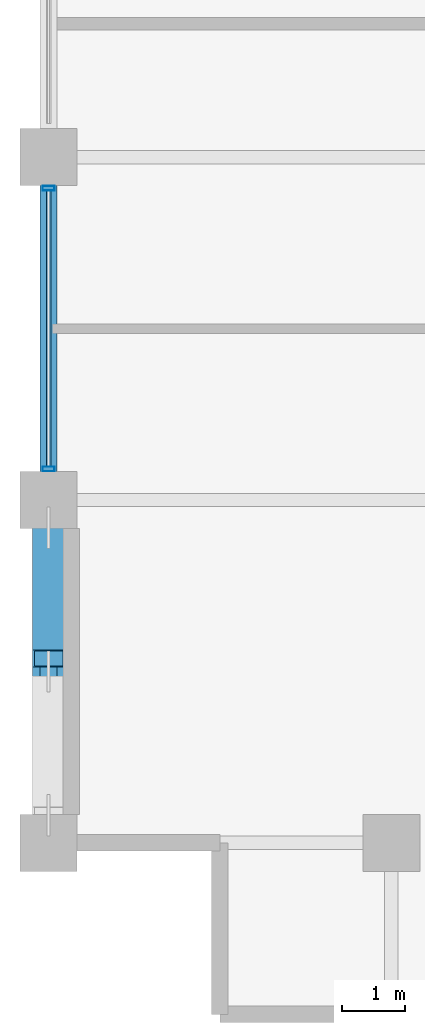
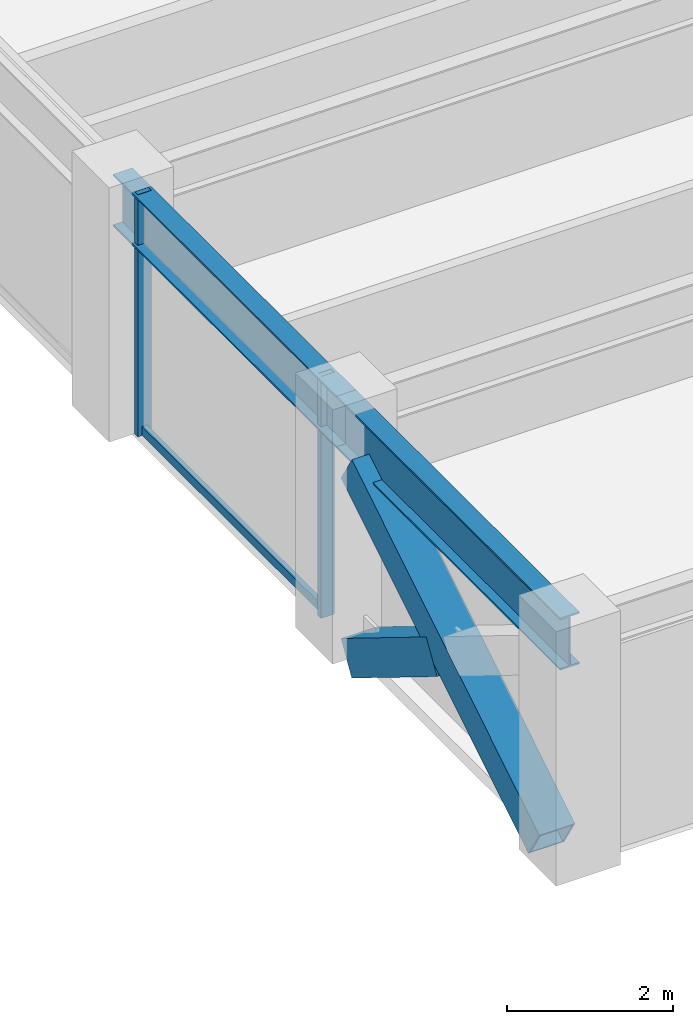
# One storey, part 4 of 32: 5 members, 2 beams, 1 element without a shape of its own.
"""IFC4 building model written with IfcOpenShell, lengths in metres."""

from ifc_helpers import new_model, si_unit, direction, frame, origin, origin_2d, place, context, subcontext, project, spatial, hollow_rectangle, i_section, extrude, material, layer, layer_set, material_profile, profile_set, type_object, element, aggregate, save


model = new_model("IFC4")

# Units and contexts
model_context = context("Model", 3, precision=1e-05, world=origin(), true_north=direction((0.0, 1.0)))
body_context = subcontext(model_context, "Body", "Model", "MODEL_VIEW")
ifc_project = project(units=[si_unit("LENGTHUNIT", "METRE"), si_unit("AREAUNIT", "SQUARE_METRE"), si_unit("VOLUMEUNIT", "CUBIC_METRE"), si_unit("PLANEANGLEUNIT", "RADIAN"), si_unit("MASSUNIT", "GRAM", prefix="KILO")], contexts=[model_context])

# Site, building, storey
site_placement = place(None, origin())
site = spatial("IfcSite", under=ifc_project, at=site_placement, CompositionType="ELEMENT")
building_placement = place(site_placement, origin())
building = spatial("IfcBuilding", under=site, at=building_placement, Name="Surkhivell Harbour Commons", CompositionType="ELEMENT")
storey_placement = place(building_placement, frame((0.0, 0.0, 204.75)))
storey = spatial("IfcBuildingStorey", under=building, at=storey_placement, Name="L53", CompositionType="ELEMENT", Elevation=204.75)

# Beams
ifc_material_1 = material(Name="Steel S355", Category="steel")
ifc_material_profile_1 = material_profile(ifc_material_1, i_section(OverallWidth=0.26806640625, OverallDepth=0.77001953125, WebThickness=0.015625, FlangeThickness=0.025390625, at=origin_2d()), Name="UB762x267x197")
ifc_profile_set_1 = profile_set([ifc_material_profile_1], Name="Steel S355")
beam_type = type_object("IfcBeamType", Name="BM-SPN-762", PredefinedType="SPANDREL", material=ifc_profile_set_1)
beam_1_placement = place(storey_placement, frame((-27.0, -16.199951171875, 3.18505859375), z_axis=(0.0, 1.0, 0.0), x_axis=(-1.0, 0.0, 0.0)))
element("IfcBeam", 1, at=beam_1_placement, inside=storey, type_object=beam_type, Name="L53 Tube Spandrel (-27.0,-16.2)", PredefinedType="SPANDREL", context=body_context, shape_type="SweptSolid", body=[
    extrude(i_section(OverallWidth=0.26806640625, OverallDepth=0.77001953125, WebThickness=0.015625, FlangeThickness=0.025390625, at=origin_2d()), origin(), (0.0, 0.0, 1.0), 5.39990234375),
])
beam_2_placement = place(storey_placement, frame((-27.0, -10.800048828125, 3.18505859375), z_axis=(0.0, 1.0, 0.0), x_axis=(-1.0, 0.0, 0.0)))
element("IfcBeam", 2, at=beam_2_placement, inside=storey, type_object=beam_type, Name="L53 Tube Spandrel (-27.0,-10.8)", PredefinedType="SPANDREL", context=body_context, shape_type="SweptSolid", body=[
    extrude(i_section(OverallWidth=0.26806640625, OverallDepth=0.77001953125, WebThickness=0.015625, FlangeThickness=0.025390625, at=origin_2d()), origin(), (0.0, 0.0, 1.0), 5.400146484375),
])

# Curtain wall, members
ifc_material_2 = material(Name="Anodised pale-metal aluminium and insulated glazing", Category="aluminium")
ifc_layer = layer(ifc_material_2, 0.18994140625)
ifc_layer_set = layer_set([ifc_layer], Name="Anodised pale-metal aluminium and insulated glazing")
curtain_wall_type = type_object("IfcCurtainWallType", Name="CW-SYS-Z3", PredefinedType="NOTDEFINED", material=ifc_layer_set)
curtain_wall_placement = place(storey_placement, origin())
curtain_wall = element("IfcCurtainWall", 3, at=curtain_wall_placement, inside=storey, type_object=curtain_wall_type, Name="L53 Curtain Wall CW-L53-E12S1", PredefinedType="NOTDEFINED")
ifc_material_3 = material(Name="Anodised pale-metal aluminium alloy 6063-T6", Category="aluminium")
ifc_material_profile_2 = material_profile(ifc_material_3, hollow_rectangle(XDim=0.074951171875, YDim=0.18994140625, WallThickness=0.00390625, at=origin_2d()), Name="ALU-MULL-75x190")
ifc_profile_set_2 = profile_set([ifc_material_profile_2], Name="Anodised pale-metal aluminium alloy 6063-T6")
member_type_1 = type_object("IfcMemberType", Name="CWM-190", PredefinedType="MULLION", material=ifc_profile_set_2)
member_1_placement = place(storey_placement, frame((-27.0, -5.889404296875, 0.0), z_axis=(0.0, 0.0, 1.0), x_axis=(0.0, -1.0, 0.0)))
member_1 = element("IfcMember", 4, at=member_1_placement, type_object=member_type_1, Name="CW-Z3 mullion 6", PredefinedType="MULLION", context=body_context, shape_type="SweptSolid", body=[
    extrude(hollow_rectangle(XDim=0.074951171875, YDim=0.18994140625, WallThickness=0.00390625, at=origin_2d()), origin(), (0.0, 0.0, 1.0), 3.570068359375),
])
member_2_placement = place(storey_placement, frame((-27.0, -10.310546875, 0.0), z_axis=(0.0, 0.0, 1.0), x_axis=(0.0, -1.0, 0.0)))
member_2 = element("IfcMember", 5, at=member_2_placement, type_object=member_type_1, Name="CW-Z3 mullion 7", PredefinedType="MULLION", context=body_context, shape_type="SweptSolid", body=[
    extrude(hollow_rectangle(XDim=0.074951171875, YDim=0.18994140625, WallThickness=0.00390625, at=origin_2d()), origin(), (0.0, 0.0, 1.0), 3.570068359375),
])
ifc_material_4 = material(Name="Champagne anodised aluminium alloy 6063-T6", Category="aluminium")
ifc_material_profile_3 = material_profile(ifc_material_4, hollow_rectangle(XDim=0.070068359375, YDim=0.1298828125, WallThickness=0.00341796875, at=origin_2d()), Name="ALU-TRAN-70x130")
ifc_profile_set_3 = profile_set([ifc_material_profile_3], Name="Champagne anodised aluminium alloy 6063-T6")
member_type_2 = type_object("IfcMemberType", Name="CWT-130", PredefinedType="USERDEFINED", material=ifc_profile_set_3)
member_3_placement = place(storey_placement, frame((-27.0, -5.927001953125, 0.06494140625), z_axis=(0.0, -1.0, 0.0), x_axis=(1.0, 0.0, 0.0)))
member_3 = element("IfcMember", 6, at=member_3_placement, type_object=member_type_2, Name="CW-Z3 transom 6.1", ObjectType="TRANSOM", PredefinedType="USERDEFINED", context=body_context, shape_type="SweptSolid", body=[
    extrude(hollow_rectangle(XDim=0.070068359375, YDim=0.1298828125, WallThickness=0.00341796875, at=origin_2d()), origin(), (0.0, 0.0, 1.0), 4.345947265625),
])
aggregate(curtain_wall, [member_1, member_2, member_3])

# Members
ifc_material_5 = material(Name="Steel S460", Category="steel")
ifc_material_profile_4 = material_profile(ifc_material_5, hollow_rectangle(XDim=0.5, YDim=0.5, WallThickness=0.02490234375, at=origin_2d()), Name="SHS500x500x25")
ifc_profile_set_4 = profile_set([ifc_material_profile_4], Name="Steel S460")
member_type_3 = type_object("IfcMemberType", Name="MEM-BRC-SHS500", PredefinedType="BRACE", material=ifc_profile_set_4)
member_4_placement = place(storey_placement, frame((-27.0, -15.764892578125, 0.008056640625), z_axis=(0.0, 0.850958380769, 0.525233123669), x_axis=(-1.0, 0.0, 0.0)))
element("IfcMember", 7, at=member_4_placement, inside=storey, type_object=member_type_3, Name="L53 Perimeter Mega-Brace MB- 10", PredefinedType="BRACE", context=body_context, shape_type="SweptSolid", body=[
    extrude(hollow_rectangle(XDim=0.5, YDim=0.5, WallThickness=0.02490234375, at=origin_2d()), origin(), (0.0, 0.0, 1.0), 5.3232421875),
])
member_5_placement = place(storey_placement, frame((-27.0, -11.235107421875, 0.008056640625), z_axis=(0.0, -0.8510034189, 0.525160147974), x_axis=(1.0, 0.0, 0.0)))
element("IfcMember", 8, at=member_5_placement, inside=storey, type_object=member_type_3, Name="L53 Perimeter Mega-Brace MB- 11", PredefinedType="BRACE", context=body_context, shape_type="SweptSolid", body=[
    extrude(hollow_rectangle(XDim=0.5, YDim=0.5, WallThickness=0.02490234375, at=origin_2d()), origin(), (0.0, 0.0, 1.0), 2.421630859375),
])

save(model, "model.ifc")
